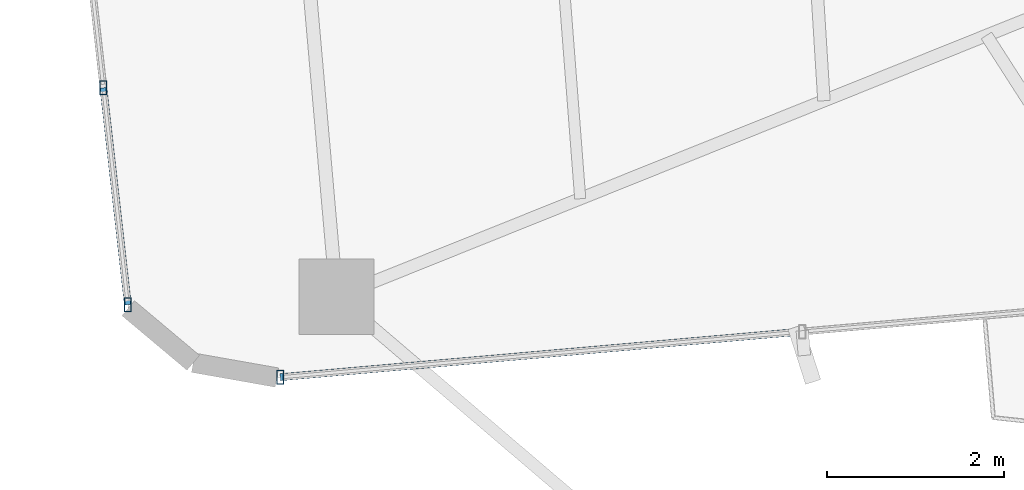
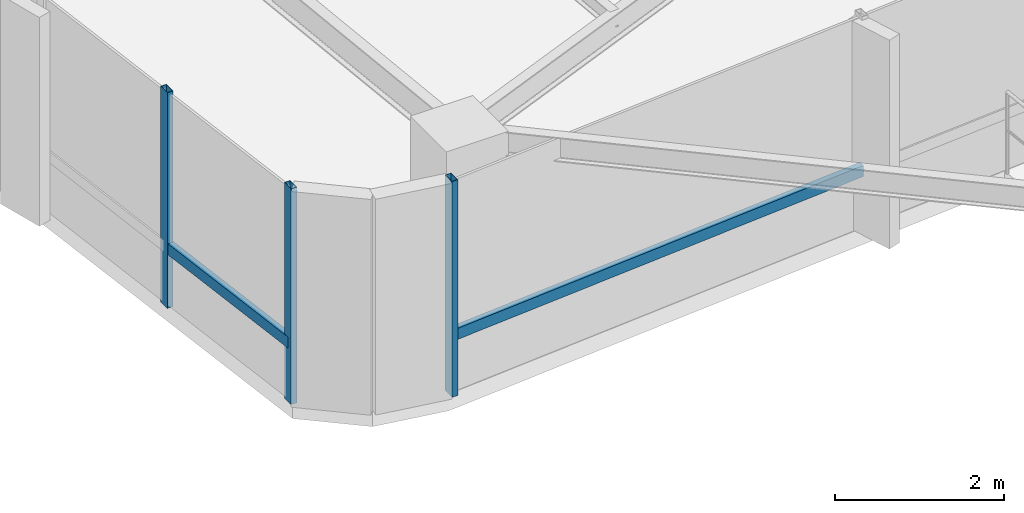
# One storey, part 3 of 24: 5 members, 2 elements without a shape of their own.
"""IFC4 building model written with IfcOpenShell, lengths in metres."""

from ifc_helpers import new_model, si_unit, direction, frame, origin, origin_2d, place, context, subcontext, project, spatial, hollow_rectangle, extrude, source, transform, mapped, material, material_profile, profile_set, type_object, element, aggregate, save


model = new_model("IFC4")

# Units and contexts
model_context = context("Model", 3, precision=1e-05, world=origin(), true_north=direction((0.0, 1.0)))
body_context = subcontext(model_context, "Body", "Model", "MODEL_VIEW")
ifc_project = project(units=[si_unit("LENGTHUNIT", "METRE"), si_unit("AREAUNIT", "SQUARE_METRE"), si_unit("VOLUMEUNIT", "CUBIC_METRE"), si_unit("PLANEANGLEUNIT", "RADIAN"), si_unit("MASSUNIT", "GRAM", prefix="KILO")], contexts=[model_context])

# Site, building, storey
site_placement = place(None, origin())
site = spatial("IfcSite", under=ifc_project, at=site_placement, CompositionType="ELEMENT")
building_placement = place(site_placement, origin())
building = spatial("IfcBuilding", under=site, at=building_placement, Name="Sahyath Konkavel Grand Hotel", CompositionType="ELEMENT")
storey_placement = place(building_placement, frame((0.0, 0.0, 164.0)))
storey = spatial("IfcBuildingStorey", under=building, at=storey_placement, Name="L45", CompositionType="ELEMENT", Elevation=164.0)

# Curtain wall, members
ifc_material_1 = material(Name="Anodised Bronze Aluminium & Low-E Glazing", Category="aluminium")
curtain_wall_type = type_object("IfcCurtainWallType", Name="CW-ZONE3", PredefinedType="NOTDEFINED", material=ifc_material_1)
curtain_wall_1_placement = place(storey_placement, origin())
curtain_wall_1 = element("IfcCurtainWall", 1, at=curtain_wall_1_placement, inside=storey, type_object=curtain_wall_type, Name="L45 Unitised Curtain Wall F20", PredefinedType="NOTDEFINED")
ifc_material_2 = material(Name="Anodised Bronze Aluminium", Category="aluminium")
ifc_material_profile_1 = material_profile(ifc_material_2, hollow_rectangle(XDim=0.080078125, YDim=0.159912109375, WallThickness=0.006103515625, at=origin_2d()), Name="RHS 160x80x6")
ifc_profile_set_1 = profile_set([ifc_material_profile_1], Name="Anodised Bronze Aluminium")
member_type_1 = type_object("IfcMemberType", Name="CW-MUL-160", PredefinedType="MULLION", material=ifc_profile_set_1)
shared_shape_1 = source(origin(), body_context, "Body", "SweptSolid", [
    extrude(hollow_rectangle(XDim=0.080078125, YDim=0.159912109375, WallThickness=0.006103515625, at=origin_2d()), origin(), (0.0, 0.0, 1.0), 3.110107421875),
])
member_1_placement = place(storey_placement, frame((-19.583984375, -4.648193359375, 0.0), z_axis=(0.0, 0.0, 1.0), x_axis=(1.0, 0.0, 0.0)))
member_1 = element("IfcMember", 2, at=member_1_placement, type_object=member_type_1, Name="L45 Curtain Wall Mullion F20-3", PredefinedType="MULLION", context=body_context, shape_type="MappedRepresentation", body=[
    mapped(shared_shape_1, transform((0.0, 0.0, 0.0), scale=1.0)),
])
member_2_placement = place(storey_placement, frame((-19.308349609375, -7.094970703125, 0.0), z_axis=(0.0, 0.0, 1.0), x_axis=(1.0, 0.0, 0.0)))
member_2 = element("IfcMember", 3, at=member_2_placement, type_object=member_type_1, Name="L45 Curtain Wall Mullion F20-4", PredefinedType="MULLION", context=body_context, shape_type="MappedRepresentation", body=[
    mapped(shared_shape_1, transform((0.0, 0.0, 0.0), scale=1.0)),
])

# Curtain wall, member
curtain_wall_2_placement = place(storey_placement, origin())
curtain_wall_2 = element("IfcCurtainWall", 4, at=curtain_wall_2_placement, inside=storey, type_object=curtain_wall_type, Name="L45 Unitised Curtain Wall F23", PredefinedType="NOTDEFINED")
member_3_placement = place(storey_placement, frame((-17.58740234375, -7.912841796875, 0.0), z_axis=(0.0, 0.0, 1.0), x_axis=(1.0, 0.0, 0.0)))
member_3 = element("IfcMember", 5, at=member_3_placement, type_object=member_type_1, Name="L45 Curtain Wall Mullion F23-0", PredefinedType="MULLION", context=body_context, shape_type="MappedRepresentation", body=[
    mapped(shared_shape_1, transform((0.0, 0.0, 0.0), scale=1.0)),
])

# Member
ifc_material_profile_2 = material_profile(ifc_material_2, hollow_rectangle(XDim=0.080078125, YDim=0.159912109375, WallThickness=0.006103515625, at=origin_2d()), Name="RHS 160x80x6")
ifc_profile_set_2 = profile_set([ifc_material_profile_2], Name="Anodised Bronze Aluminium")
member_type_2 = type_object("IfcMemberType", Name="CW-TRN-160", PredefinedType="USERDEFINED", material=ifc_profile_set_2)
shared_shape_2 = source(origin(), body_context, "Body", "SweptSolid", [
    extrude(hollow_rectangle(XDim=0.080078125, YDim=0.159912109375, WallThickness=0.006103515625, at=origin_2d()), origin(), (0.0, 0.0, 1.0), 2.462158203125),
])
member_4_placement = place(storey_placement, frame((-19.583984375, -4.648193359375, 0.85009765625), z_axis=(0.11194409079, -0.993714506555, 0.0), x_axis=(0.993714506555, 0.11194409079, 0.0)))
member_4 = element("IfcMember", 6, at=member_4_placement, type_object=member_type_2, Name="L45 Curtain Wall Transom F20-3-spandrel", ObjectType="TRANSOM", PredefinedType="USERDEFINED", context=body_context, shape_type="MappedRepresentation", body=[
    mapped(shared_shape_2, transform((0.0, 0.0, 0.0), scale=1.0)),
])

aggregate(curtain_wall_1, [member_1, member_2, member_4])

shared_shape_3 = source(origin(), body_context, "Body", "SweptSolid", [
    extrude(hollow_rectangle(XDim=0.080078125, YDim=0.159912109375, WallThickness=0.006103515625, at=origin_2d()), origin(), (0.0, 0.0, 1.0), 5.91015625),
])
member_5_placement = place(storey_placement, frame((-17.58740234375, -7.912841796875, 0.85009765625), z_axis=(0.996197841474, 0.087119806256, 0.0), x_axis=(-0.087119806256, 0.996197841474, 0.0)))
member_5 = element("IfcMember", 7, at=member_5_placement, type_object=member_type_2, Name="L45 Curtain Wall Transom F23-0-spandrel", ObjectType="TRANSOM", PredefinedType="USERDEFINED", context=body_context, shape_type="MappedRepresentation", body=[
    mapped(shared_shape_3, transform((0.0, 0.0, 0.0), scale=1.0)),
])

aggregate(curtain_wall_2, [member_3, member_5])

save(model, "model.ifc")
